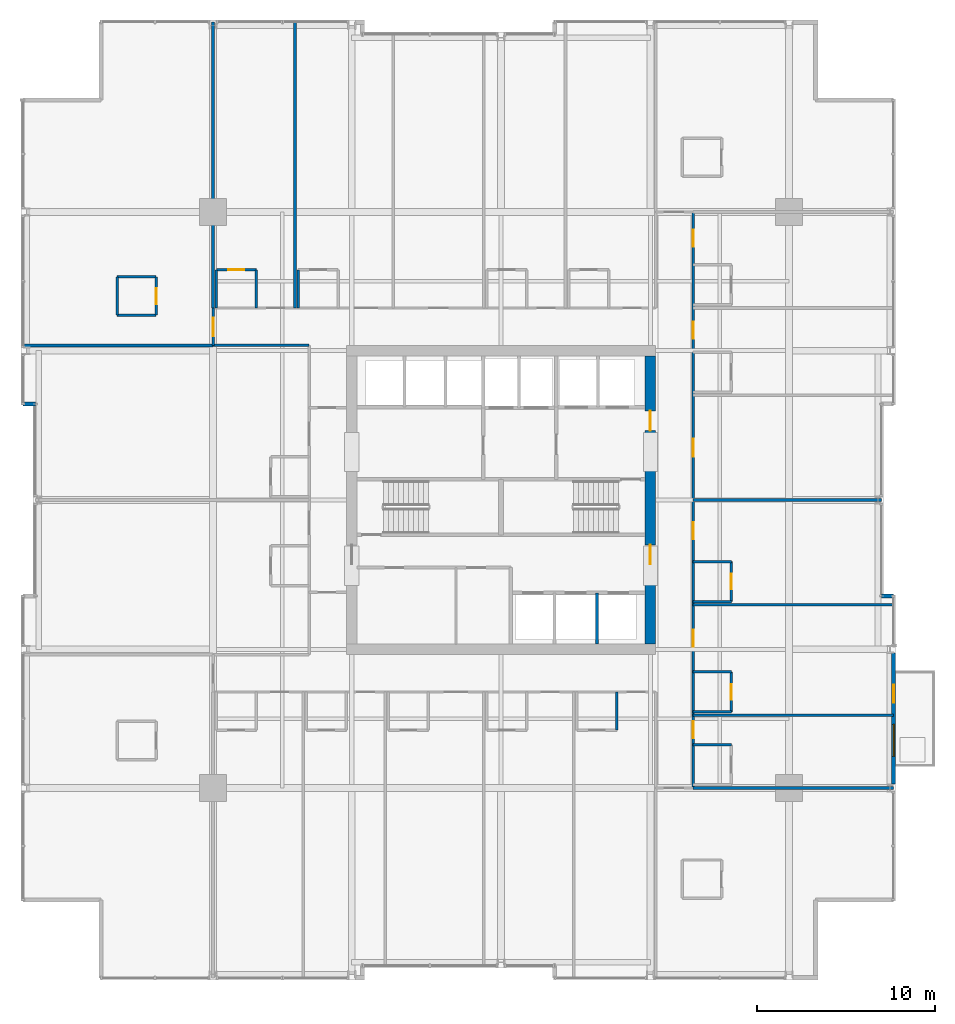
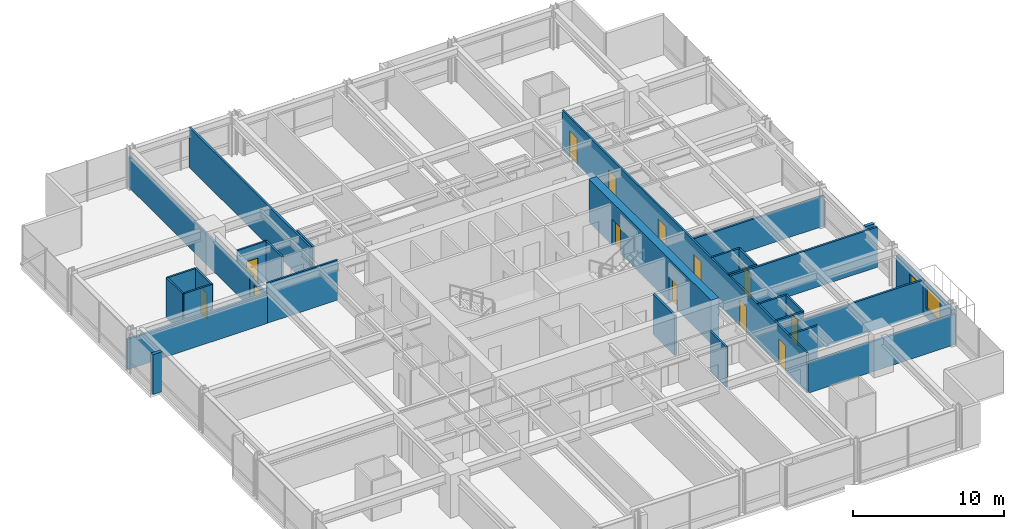
# One storey, part 30 of 34: 31 walls, 14 doors, 1 window, 15 openings.
"""IFC4 building model written with IfcOpenShell, lengths in metres."""

from ifc_helpers import new_model, si_unit, direction, frame, frame_2d, origin, place, context, subcontext, project, spatial, rectangle, extrude, material, layer, layer_set, type_object, element, fill, save


model = new_model("IFC4")

# Units and contexts
model_context = context("Model", 3, precision=1e-05, world=origin(), true_north=direction((0.0, 1.0)))
body_context = subcontext(model_context, "Body", "Model", "MODEL_VIEW")
ifc_project = project(units=[si_unit("LENGTHUNIT", "METRE"), si_unit("AREAUNIT", "SQUARE_METRE"), si_unit("VOLUMEUNIT", "CUBIC_METRE"), si_unit("PLANEANGLEUNIT", "RADIAN"), si_unit("MASSUNIT", "GRAM", prefix="KILO")], contexts=[model_context])

# Site, building, storey
site_placement = place(None, origin())
site = spatial("IfcSite", under=ifc_project, at=site_placement, CompositionType="ELEMENT")
building_placement = place(site_placement, origin())
building = spatial("IfcBuilding", under=site, at=building_placement, Name="Drelvath Grand Hotel", CompositionType="ELEMENT")
storey_placement = place(building_placement, frame((0.0, 0.0, 91.800048828125)))
storey = spatial("IfcBuildingStorey", under=building, at=storey_placement, Name="L22", CompositionType="ELEMENT", Elevation=91.800048828125)

# Walls
ifc_material_1 = material(Name="Gypsum Fireboard Partition")
ifc_layer_1 = layer(ifc_material_1, 0.1650390625)
ifc_layer_set_1 = layer_set([ifc_layer_1], Name="Gypsum Fireboard Partition")
wall_type_1 = type_object("IfcWallType", Name="Core Shaft Partition 165", PredefinedType="PARTITIONING", material=ifc_layer_set_1)
wall_1_placement = place(storey_placement, frame((5.39990234375, 18.89990234375, 0.0), z_axis=(0.0, 0.0, 1.0), x_axis=(0.0, 1.0, 0.0)))
element("IfcWall", 1, at=wall_1_placement, inside=storey, type_object=wall_type_1, Name="L22 Lift PE-5/6 Divider", PredefinedType="PARTITIONING", context=body_context, shape_type="SweptSolid", body=[
    extrude(rectangle(XDim=2.880126953125, YDim=0.1650390625, at=frame_2d((1.43994140625, 0.0))), origin(), (0.0, 0.0, 1.0), 3.239990234375),
])
ifc_layer_2 = layer(ifc_material_1, 0.135009765625)
ifc_layer_set_2 = layer_set([ifc_layer_2], Name="Gypsum Fireboard Partition")
wall_type_2 = type_object("IfcWallType", Name="Corridor Fire Barrier Wall 135", PredefinedType="PARTITIONING", material=ifc_layer_set_2)
wall_2_placement = place(storey_placement, frame((-16.199951171875, 35.699951171875, 0.0), z_axis=(0.0, 0.0, 1.0), x_axis=(1.0, 0.0, 0.0)))
element("IfcWall", 2, at=wall_2_placement, inside=storey, type_object=wall_type_2, Name="L22 NW Stub South Wall", PredefinedType="PARTITIONING", context=body_context, shape_type="SweptSolid", body=[
    extrude(rectangle(XDim=5.39990234375, YDim=0.135009765625, at=frame_2d((2.699951171875, 0.0))), origin(), (0.0, 0.0, 1.0), 3.239990234375),
])

# Wall, openings, doors
wall_3_placement = place(storey_placement, frame((10.800048828125, 10.800048828125, 0.0), z_axis=(0.0, 0.0, 1.0), x_axis=(0.0, 1.0, 0.0)))
wall_3 = element("IfcWall", 3, at=wall_3_placement, inside=storey, type_object=wall_type_2, Name="L22 East Spine Corridor Wall", PredefinedType="PARTITIONING", context=body_context, shape_type="SweptSolid", body=[
    extrude(rectangle(XDim=32.39990234375, YDim=0.135009765625, at=frame_2d((16.199951171875, 0.0))), origin(), (0.0, 0.0, 1.0), 3.239990234375),
])
opening_1_placement = place(wall_3_placement, frame((2.784912109375, 0.0, 0.0)))
opening_1 = element("IfcOpeningElement", 4, at=opening_1_placement, cuts=wall_3, Name="Opening D-T2G1-047", PredefinedType="OPENING", context=body_context, shape_type="SweptSolid", body=[
    extrude(rectangle(XDim=0.9599609375, YDim=2.14990234375, at=frame_2d((0.47998046875, 1.074951171875))), frame((0.0, 0.077392578125, 0.0), z_axis=(0.0, -1.0, 0.0), x_axis=(1.0, 0.0, 0.0)), (0.0, 0.0, 1.0), 0.155029296875),
])
opening_2_placement = place(wall_3_placement, frame((7.939453125, 0.0, 0.0)))
opening_2 = element("IfcOpeningElement", 5, at=opening_2_placement, cuts=wall_3, Name="Opening D-T2G1-049", PredefinedType="OPENING", context=body_context, shape_type="SweptSolid", body=[
    extrude(rectangle(XDim=0.9599609375, YDim=2.14990234375, at=frame_2d((0.47998046875, 1.074951171875))), frame((0.0, 0.077392578125, 0.0), z_axis=(0.0, -1.0, 0.0), x_axis=(1.0, 0.0, 0.0)), (0.0, 0.0, 1.0), 0.155029296875),
])
opening_3_placement = place(wall_3_placement, frame((13.989501953125, 0.0, 0.0)))
opening_3 = element("IfcOpeningElement", 6, at=opening_3_placement, cuts=wall_3, Name="Opening D-T2G1-051", PredefinedType="OPENING", context=body_context, shape_type="SweptSolid", body=[
    extrude(rectangle(XDim=0.9599609375, YDim=2.14990234375, at=frame_2d((0.47998046875, 1.074951171875))), frame((0.0, 0.077392578125, 0.0), z_axis=(0.0, -1.0, 0.0), x_axis=(1.0, 0.0, 0.0)), (0.0, 0.0, 1.0), 0.155029296875),
])
opening_4_placement = place(wall_3_placement, frame((18.635498046875, 0.0, 0.0)))
opening_4 = element("IfcOpeningElement", 7, at=opening_4_placement, cuts=wall_3, Name="Opening D-T2G1-052", PredefinedType="OPENING", context=body_context, shape_type="SweptSolid", body=[
    extrude(rectangle(XDim=1.02001953125, YDim=2.14990234375, at=frame_2d((0.510009765625, 1.074951171875))), frame((0.0, 0.077392578125, 0.0), z_axis=(0.0, -1.0, 0.0), x_axis=(1.0, 0.0, 0.0)), (0.0, 0.0, 1.0), 0.155029296875),
])
opening_5_placement = place(wall_3_placement, frame((25.280517578125, 0.0, 0.0)))
opening_5 = element("IfcOpeningElement", 8, at=opening_5_placement, cuts=wall_3, Name="Opening D-T2G1-054", PredefinedType="OPENING", context=body_context, shape_type="SweptSolid", body=[
    extrude(rectangle(XDim=0.9599609375, YDim=2.14990234375, at=frame_2d((0.47998046875, 1.074951171875))), frame((0.0, 0.077392578125, 0.0), z_axis=(0.0, -1.0, 0.0), x_axis=(1.0, 0.0, 0.0)), (0.0, 0.0, 1.0), 0.155029296875),
])
opening_6_placement = place(wall_3_placement, frame((30.43505859375, 0.0, 0.0)))
opening_6 = element("IfcOpeningElement", 9, at=opening_6_placement, cuts=wall_3, Name="Opening D-T2G1-056", PredefinedType="OPENING", context=body_context, shape_type="SweptSolid", body=[
    extrude(rectangle(XDim=0.9599609375, YDim=2.14990234375, at=frame_2d((0.47998046875, 1.074951171875))), frame((0.0, 0.077392578125, 0.0), z_axis=(0.0, -1.0, 0.0), x_axis=(1.0, 0.0, 0.0)), (0.0, 0.0, 1.0), 0.155029296875),
])
ifc_material_2 = material(Name="Hardwood Walnut Timber", Category="wood")
door_type_1 = type_object("IfcDoorType", Name="Amenity Meeting Fire Door 1020x2150", OperationType="NOTDEFINED", PredefinedType="DOOR", material=ifc_material_2)
door_1_placement = place(opening_4_placement, origin())
door_1 = element("IfcDoor", 10, at=door_1_placement, inside=storey, type_object=door_type_1, Name="L22 Executive Workroom Entry Door", OperationType="SINGLE_SWING_LEFT", OverallHeight=2.14990234375, OverallWidth=1.02001953125, PredefinedType="DOOR", context=body_context, shape_type="SweptSolid", body=[
    extrude(rectangle(XDim=1.02001953125, YDim=2.14990234375, at=frame_2d((0.510009765625, 1.074951171875))), frame((0.0, 0.02490234375, 0.0), z_axis=(0.0, -1.0, 0.0), x_axis=(1.0, 0.0, 0.0)), (0.0, 0.0, 1.0), 0.050048828125),
])
fill(opening_4, door_1)
door_type_2 = type_object("IfcDoorType", Name="Guestroom Entrance Fire Door 960x2150", OperationType="NOTDEFINED", PredefinedType="DOOR", material=ifc_material_2)
door_2_placement = place(opening_1_placement, origin())
door_2 = element("IfcDoor", 11, at=door_2_placement, inside=storey, type_object=door_type_2, Name="L22 Deluxe Guest Room Entry Door", OperationType="SINGLE_SWING_RIGHT", OverallHeight=2.14990234375, OverallWidth=0.9599609375, PredefinedType="DOOR", context=body_context, shape_type="SweptSolid", body=[
    extrude(rectangle(XDim=0.9599609375, YDim=2.14990234375, at=frame_2d((0.47998046875, 1.074951171875))), frame((0.0, 0.02490234375, 0.0), z_axis=(0.0, -1.0, 0.0), x_axis=(1.0, 0.0, 0.0)), (0.0, 0.0, 1.0), 0.050048828125),
])
fill(opening_1, door_2)
door_3_placement = place(opening_2_placement, origin())
door_3 = element("IfcDoor", 12, at=door_3_placement, inside=storey, type_object=door_type_2, Name="L22 Deluxe Guest Room Entry Door", OperationType="SINGLE_SWING_RIGHT", OverallHeight=2.14990234375, OverallWidth=0.9599609375, PredefinedType="DOOR", context=body_context, shape_type="SweptSolid", body=[
    extrude(rectangle(XDim=0.9599609375, YDim=2.14990234375, at=frame_2d((0.47998046875, 1.074951171875))), frame((0.0, 0.02490234375, 0.0), z_axis=(0.0, -1.0, 0.0), x_axis=(1.0, 0.0, 0.0)), (0.0, 0.0, 1.0), 0.050048828125),
])
fill(opening_2, door_3)
door_4_placement = place(opening_3_placement, origin())
door_4 = element("IfcDoor", 13, at=door_4_placement, inside=storey, type_object=door_type_2, Name="L22 Deluxe Guest Room Entry Door", OperationType="SINGLE_SWING_RIGHT", OverallHeight=2.14990234375, OverallWidth=0.9599609375, PredefinedType="DOOR", context=body_context, shape_type="SweptSolid", body=[
    extrude(rectangle(XDim=0.9599609375, YDim=2.14990234375, at=frame_2d((0.47998046875, 1.074951171875))), frame((0.0, 0.02490234375, 0.0), z_axis=(0.0, -1.0, 0.0), x_axis=(1.0, 0.0, 0.0)), (0.0, 0.0, 1.0), 0.050048828125),
])
fill(opening_3, door_4)
door_5_placement = place(opening_5_placement, origin())
door_5 = element("IfcDoor", 14, at=door_5_placement, inside=storey, type_object=door_type_2, Name="L22 Deluxe Guest Room Entry Door", OperationType="SINGLE_SWING_LEFT", OverallHeight=2.14990234375, OverallWidth=0.9599609375, PredefinedType="DOOR", context=body_context, shape_type="SweptSolid", body=[
    extrude(rectangle(XDim=0.9599609375, YDim=2.14990234375, at=frame_2d((0.47998046875, 1.074951171875))), frame((0.0, 0.02490234375, 0.0), z_axis=(0.0, -1.0, 0.0), x_axis=(1.0, 0.0, 0.0)), (0.0, 0.0, 1.0), 0.050048828125),
])
fill(opening_5, door_5)
door_6_placement = place(opening_6_placement, origin())
door_6 = element("IfcDoor", 15, at=door_6_placement, inside=storey, type_object=door_type_2, Name="L22 Deluxe Guest Room Entry Door", OperationType="SINGLE_SWING_LEFT", OverallHeight=2.14990234375, OverallWidth=0.9599609375, PredefinedType="DOOR", context=body_context, shape_type="SweptSolid", body=[
    extrude(rectangle(XDim=0.9599609375, YDim=2.14990234375, at=frame_2d((0.47998046875, 1.074951171875))), frame((0.0, 0.02490234375, 0.0), z_axis=(0.0, -1.0, 0.0), x_axis=(1.0, 0.0, 0.0)), (0.0, 0.0, 1.0), 0.050048828125),
])
fill(opening_6, door_6)

# Wall, opening, door
wall_4_placement = place(storey_placement, frame((-16.199951171875, 35.699951171875, 0.0), z_axis=(0.0, 0.0, 1.0), x_axis=(0.0, 1.0, 0.0)))
wall_4 = element("IfcWall", 16, at=wall_4_placement, inside=storey, type_object=wall_type_2, Name="L22 North Stub West End", PredefinedType="PARTITIONING", context=body_context, shape_type="SweptSolid", body=[
    extrude(rectangle(XDim=2.10009765625, YDim=0.135009765625, at=frame_2d((1.050048828125, 0.0))), origin(), (0.0, 0.0, 1.0), 2.45166015625),
])
opening_7_placement = place(wall_4_placement, frame((0.52001953125, 0.0, 0.0)))
opening_7 = element("IfcOpeningElement", 17, at=opening_7_placement, cuts=wall_4, Name="Opening D-T2G1-022", PredefinedType="OPENING", context=body_context, shape_type="SweptSolid", body=[
    extrude(rectangle(XDim=1.02001953125, YDim=2.14990234375, at=frame_2d((0.510009765625, 1.074951171875))), frame((0.0, 0.077392578125, 0.0), z_axis=(0.0, -1.0, 0.0), x_axis=(1.0, 0.0, 0.0)), (0.0, 0.0, 1.0), 0.155029296875),
])
door_7_placement = place(opening_7_placement, origin())
door_7 = element("IfcDoor", 18, at=door_7_placement, inside=storey, type_object=door_type_1, Name="L22 Corner Suite Entry Door", OperationType="SINGLE_SWING_LEFT", OverallHeight=2.14990234375, OverallWidth=1.02001953125, PredefinedType="DOOR", context=body_context, shape_type="SweptSolid", body=[
    extrude(rectangle(XDim=1.02001953125, YDim=2.14990234375, at=frame_2d((0.510009765625, 1.074951171875))), frame((0.0, 0.02490234375, 0.0), z_axis=(0.0, -1.0, 0.0), x_axis=(1.0, 0.0, 0.0)), (0.0, 0.0, 1.0), 0.050048828125),
])
fill(opening_7, door_7)

# Walls
ifc_material_3 = material(Name="Moisture-Resistant Gypsum Board")
ifc_layer_3 = layer(ifc_material_3, 0.139892578125)
ifc_layer_set_3 = layer_set([ifc_layer_3], Name="Moisture-Resistant Gypsum Board")
wall_type_3 = type_object("IfcWallType", Name="En-Suite Plumbing Wall 140", PredefinedType="PLUMBINGWALL", material=ifc_layer_set_3)
for number, where, z_axis, x_axis, name in (
    (19, (-21.60009765625, 37.39990234375, 0.0), (0.0, 0.0, 1.0), (1.0, 0.0, 0.0), "L22 Corner En-Suite South"),
    (20, (-21.60009765625, 39.550048828125, 0.0), (0.0, 0.0, 1.0), (1.0, 0.0, 0.0), "L22 Corner En-Suite North"),
):
    element("IfcWall", number, at=place(storey_placement, frame(where, z_axis=z_axis, x_axis=x_axis)), inside=storey, type_object=wall_type_3, Name=name, PredefinedType="PLUMBINGWALL", context=body_context, shape_type="SweptSolid", body=[
        extrude(rectangle(XDim=2.2001953125, YDim=0.139892578125, at=frame_2d((1.10009765625, 0.0))), origin(), (0.0, 0.0, 1.0), 3.239990234375),
    ])
wall_5_placement = place(storey_placement, frame((-21.60009765625, 37.39990234375, 0.0), z_axis=(0.0, 0.0, 1.0), x_axis=(0.0, 1.0, 0.0)))
element("IfcWall", 21, at=wall_5_placement, inside=storey, type_object=wall_type_3, Name="L22 Corner En-Suite West", PredefinedType="PLUMBINGWALL", context=body_context, shape_type="SweptSolid", body=[
    extrude(rectangle(XDim=2.150146484375, YDim=0.139892578125, at=frame_2d((1.0751953125, 0.0))), origin(), (0.0, 0.0, 1.0), 3.239990234375),
])

# Wall, opening, door
wall_6_placement = place(storey_placement, frame((-19.39990234375, 37.39990234375, 0.0), z_axis=(0.0, 0.0, 1.0), x_axis=(0.0, 1.0, 0.0)))
wall_6 = element("IfcWall", 22, at=wall_6_placement, inside=storey, type_object=wall_type_3, Name="L22 Corner En-Suite East", PredefinedType="PLUMBINGWALL", context=body_context, shape_type="SweptSolid", body=[
    extrude(rectangle(XDim=2.150146484375, YDim=0.139892578125, at=frame_2d((1.0751953125, 0.0))), origin(), (0.0, 0.0, 1.0), 3.239990234375),
])
opening_8_placement = place(wall_6_placement, frame((0.6201171875, 0.0, 0.0)))
opening_8 = element("IfcOpeningElement", 23, at=opening_8_placement, cuts=wall_6, Name="Opening D-T2G1-021", PredefinedType="OPENING", context=body_context, shape_type="SweptSolid", body=[
    extrude(rectangle(XDim=0.8798828125, YDim=2.10009765625, at=frame_2d((0.43994140625, 1.050048828125))), frame((0.0, 0.079833984375, 0.0), z_axis=(0.0, -1.0, 0.0), x_axis=(1.0, 0.0, 0.0)), (0.0, 0.0, 1.0), 0.159912109375),
])
door_type_3 = type_object("IfcDoorType", Name="En-Suite Bathroom Door 880x2100", OperationType="NOTDEFINED", PredefinedType="DOOR", material=ifc_material_2)
door_8_placement = place(opening_8_placement, origin())
door_8 = element("IfcDoor", 24, at=door_8_placement, inside=storey, type_object=door_type_3, Name="L22 Corner En-Suite Door", OperationType="SINGLE_SWING_RIGHT", OverallHeight=2.10009765625, OverallWidth=0.8798828125, PredefinedType="DOOR", context=body_context, shape_type="SweptSolid", body=[
    extrude(rectangle(XDim=0.8798828125, YDim=2.10009765625, at=frame_2d((0.43994140625, 1.050048828125))), frame((0.0, 0.02490234375, 0.0), z_axis=(0.0, -1.0, 0.0), x_axis=(1.0, 0.0, 0.0)), (0.0, 0.0, 1.0), 0.050048828125),
])
fill(opening_8, door_8)

# Walls
wall_7_placement = place(storey_placement, frame((6.518798828125, 16.199951171875, 0.0), z_axis=(0.0, 0.0, 1.0), x_axis=(0.0, -1.0, 0.0)))
element("IfcWall", 25, at=wall_7_placement, inside=storey, type_object=wall_type_3, Name="L22 En-Suite Right Wall", PredefinedType="PLUMBINGWALL", context=body_context, shape_type="SweptSolid", body=[
    extrude(rectangle(XDim=2.14990234375, YDim=0.139892578125, at=frame_2d((1.074951171875, 0.0))), origin(), (0.0, 0.0, 1.0), 3.239990234375),
])
wall_8_placement = place(storey_placement, frame((-16.02001953125, 37.800048828125, 0.0), z_axis=(0.0, 0.0, 1.0), x_axis=(0.0, 1.0, 0.0)))
element("IfcWall", 26, at=wall_8_placement, inside=storey, type_object=wall_type_3, Name="L22 En-Suite Left Wall", PredefinedType="PLUMBINGWALL", context=body_context, shape_type="SweptSolid", body=[
    extrude(rectangle(XDim=2.14990234375, YDim=0.139892578125, at=frame_2d((1.074951171875, 0.0))), origin(), (0.0, 0.0, 1.0), 2.45166015625),
])
wall_9_placement = place(storey_placement, frame((-13.77001953125, 37.800048828125, 0.0), z_axis=(0.0, 0.0, 1.0), x_axis=(0.0, 1.0, 0.0)))
element("IfcWall", 27, at=wall_9_placement, inside=storey, type_object=wall_type_3, Name="L22 En-Suite Right Wall", PredefinedType="PLUMBINGWALL", context=body_context, shape_type="SweptSolid", body=[
    extrude(rectangle(XDim=2.14990234375, YDim=0.139892578125, at=frame_2d((1.074951171875, 0.0))), origin(), (0.0, 0.0, 1.0), 3.239990234375),
])

# Wall, opening, door
wall_10_placement = place(storey_placement, frame((-16.02001953125, 39.949951171875, 0.0), z_axis=(0.0, 0.0, 1.0), x_axis=(1.0, 0.0, 0.0)))
wall_10 = element("IfcWall", 28, at=wall_10_placement, inside=storey, type_object=wall_type_3, Name="L22 En-Suite Front Wall", PredefinedType="PLUMBINGWALL", context=body_context, shape_type="SweptSolid", body=[
    extrude(rectangle(XDim=2.25, YDim=0.139892578125, at=frame_2d((1.125, 0.0))), origin(), (0.0, 0.0, 1.0), 3.239990234375),
])
opening_9_placement = place(wall_10_placement, frame((0.68505859375, 0.0, 0.0)))
opening_9 = element("IfcOpeningElement", 29, at=opening_9_placement, cuts=wall_10, Name="Opening D-T2G1-037", PredefinedType="OPENING", context=body_context, shape_type="SweptSolid", body=[
    extrude(rectangle(XDim=0.8798828125, YDim=2.10009765625, at=frame_2d((0.43994140625, 1.050048828125))), frame((0.0, 0.079833984375, 0.0), z_axis=(0.0, -1.0, 0.0), x_axis=(1.0, 0.0, 0.0)), (0.0, 0.0, 1.0), 0.159912109375),
])
door_9_placement = place(opening_9_placement, origin())
door_9 = element("IfcDoor", 30, at=door_9_placement, inside=storey, type_object=door_type_3, Name="L22 En-Suite Bathroom Door", OperationType="SINGLE_SWING_RIGHT", OverallHeight=2.10009765625, OverallWidth=0.8798828125, PredefinedType="DOOR", context=body_context, shape_type="SweptSolid", body=[
    extrude(rectangle(XDim=0.8798828125, YDim=2.10009765625, at=frame_2d((0.43994140625, 1.050048828125))), frame((0.0, 0.02490234375, 0.0), z_axis=(0.0, -1.0, 0.0), x_axis=(1.0, 0.0, 0.0)), (0.0, 0.0, 1.0), 0.050048828125),
])
fill(opening_9, door_9)

# Walls
for number, where, z_axis, x_axis, name in (
    (31, (-11.408935546875, 37.800048828125, 0.0), (0.0, 0.0, 1.0), (0.0, 1.0, 0.0), "L22 En-Suite Left Wall"),
    (32, (10.800048828125, 13.22998046875, 0.0), (0.0, 0.0, 1.0), (1.0, 0.0, 0.0), "L22 En-Suite Right Wall"),
    (33, (10.800048828125, 15.080078125, 0.0), (0.0, 0.0, 1.0), (1.0, 0.0, 0.0), "L22 En-Suite Left Wall"),
    (34, (10.800048828125, 17.330078125, 0.0), (0.0, 0.0, 1.0), (1.0, 0.0, 0.0), "L22 En-Suite Right Wall"),
):
    element("IfcWall", number, at=place(storey_placement, frame(where, z_axis=z_axis, x_axis=x_axis)), inside=storey, type_object=wall_type_3, Name=name, PredefinedType="PLUMBINGWALL", context=body_context, shape_type="SweptSolid", body=[
        extrude(rectangle(XDim=2.14990234375, YDim=0.139892578125, at=frame_2d((1.074951171875, 0.0))), origin(), (0.0, 0.0, 1.0), 3.239990234375),
    ])

# Wall, opening, door
wall_11_placement = place(storey_placement, frame((12.949951171875, 15.080078125, 0.0), z_axis=(0.0, 0.0, 1.0), x_axis=(0.0, 1.0, 0.0)))
wall_11 = element("IfcWall", 35, at=wall_11_placement, inside=storey, type_object=wall_type_3, Name="L22 En-Suite Front Wall", PredefinedType="PLUMBINGWALL", context=body_context, shape_type="SweptSolid", body=[
    extrude(rectangle(XDim=2.25, YDim=0.139892578125, at=frame_2d((1.125, 0.0))), origin(), (0.0, 0.0, 1.0), 3.239990234375),
])
opening_10_placement = place(wall_11_placement, frame((0.68505859375, 0.0, 0.0)))
opening_10 = element("IfcOpeningElement", 36, at=opening_10_placement, cuts=wall_11, Name="Opening D-T2G1-048", PredefinedType="OPENING", context=body_context, shape_type="SweptSolid", body=[
    extrude(rectangle(XDim=0.8798828125, YDim=2.10009765625, at=frame_2d((0.43994140625, 1.050048828125))), frame((0.0, 0.079833984375, 0.0), z_axis=(0.0, -1.0, 0.0), x_axis=(1.0, 0.0, 0.0)), (0.0, 0.0, 1.0), 0.159912109375),
])
door_10_placement = place(opening_10_placement, origin())
door_10 = element("IfcDoor", 37, at=door_10_placement, inside=storey, type_object=door_type_3, Name="L22 En-Suite Bathroom Door", OperationType="SINGLE_SWING_LEFT", OverallHeight=2.10009765625, OverallWidth=0.8798828125, PredefinedType="DOOR", context=body_context, shape_type="SweptSolid", body=[
    extrude(rectangle(XDim=0.8798828125, YDim=2.10009765625, at=frame_2d((0.43994140625, 1.050048828125))), frame((0.0, 0.02490234375, 0.0), z_axis=(0.0, -1.0, 0.0), x_axis=(1.0, 0.0, 0.0)), (0.0, 0.0, 1.0), 0.050048828125),
])
fill(opening_10, door_10)

# Walls
for number, where, z_axis, x_axis, name in (
    (38, (10.800048828125, 21.2890625, 0.0), (0.0, 0.0, 1.0), (1.0, 0.0, 0.0), "L22 En-Suite Left Wall"),
    (39, (10.800048828125, 23.5390625, 0.0), (0.0, 0.0, 1.0), (1.0, 0.0, 0.0), "L22 En-Suite Right Wall"),
):
    element("IfcWall", number, at=place(storey_placement, frame(where, z_axis=z_axis, x_axis=x_axis)), inside=storey, type_object=wall_type_3, Name=name, PredefinedType="PLUMBINGWALL", context=body_context, shape_type="SweptSolid", body=[
        extrude(rectangle(XDim=2.14990234375, YDim=0.139892578125, at=frame_2d((1.074951171875, 0.0))), origin(), (0.0, 0.0, 1.0), 3.239990234375),
    ])

# Wall, opening, door
wall_12_placement = place(storey_placement, frame((12.949951171875, 21.2890625, 0.0), z_axis=(0.0, 0.0, 1.0), x_axis=(0.0, 1.0, 0.0)))
wall_12 = element("IfcWall", 40, at=wall_12_placement, inside=storey, type_object=wall_type_3, Name="L22 En-Suite Front Wall", PredefinedType="PLUMBINGWALL", context=body_context, shape_type="SweptSolid", body=[
    extrude(rectangle(XDim=2.25, YDim=0.139892578125, at=frame_2d((1.125, 0.0))), origin(), (0.0, 0.0, 1.0), 3.239990234375),
])
opening_11_placement = place(wall_12_placement, frame((0.68505859375, 0.0, 0.0)))
opening_11 = element("IfcOpeningElement", 41, at=opening_11_placement, cuts=wall_12, Name="Opening D-T2G1-050", PredefinedType="OPENING", context=body_context, shape_type="SweptSolid", body=[
    extrude(rectangle(XDim=0.8798828125, YDim=2.10009765625, at=frame_2d((0.43994140625, 1.050048828125))), frame((0.0, 0.079833984375, 0.0), z_axis=(0.0, -1.0, 0.0), x_axis=(1.0, 0.0, 0.0)), (0.0, 0.0, 1.0), 0.159912109375),
])
door_11_placement = place(opening_11_placement, origin())
door_11 = element("IfcDoor", 42, at=door_11_placement, inside=storey, type_object=door_type_3, Name="L22 En-Suite Bathroom Door", OperationType="SINGLE_SWING_LEFT", OverallHeight=2.10009765625, OverallWidth=0.8798828125, PredefinedType="DOOR", context=body_context, shape_type="SweptSolid", body=[
    extrude(rectangle(XDim=0.8798828125, YDim=2.10009765625, at=frame_2d((0.43994140625, 1.050048828125))), frame((0.0, 0.02490234375, 0.0), z_axis=(0.0, -1.0, 0.0), x_axis=(1.0, 0.0, 0.0)), (0.0, 0.0, 1.0), 0.050048828125),
])
fill(opening_11, door_11)

# Walls
ifc_material_4 = material(Name="Gypsum Acoustic Partition")
ifc_layer_4 = layer(ifc_material_4, 0.14990234375)
ifc_layer_set_4 = layer_set([ifc_layer_4], Name="Gypsum Acoustic Partition")
wall_type_4 = type_object("IfcWallType", Name="Guestroom Demising Wall 150", PredefinedType="PARTITIONING", material=ifc_layer_set_4)
wall_13_placement = place(storey_placement, frame((-11.5888671875, 37.800048828125, 0.0), z_axis=(0.0, 0.0, 1.0), x_axis=(0.0, 1.0, 0.0)))
element("IfcWall", 43, at=wall_13_placement, inside=storey, type_object=wall_type_4, Name="L22 North Demising 1", PredefinedType="PARTITIONING", context=body_context, shape_type="SweptSolid", body=[
    extrude(rectangle(XDim=16.079833984375, YDim=0.14990234375, at=frame_2d((8.0400390625, 0.0))), origin(), (0.0, 0.0, 1.0), 3.239990234375),
])
wall_14_placement = place(storey_placement, frame((10.800048828125, 14.89990234375, 0.0), z_axis=(0.0, 0.0, 1.0), x_axis=(1.0, 0.0, 0.0)))
element("IfcWall", 44, at=wall_14_placement, inside=storey, type_object=wall_type_4, Name="L22 East Demising 1", PredefinedType="PARTITIONING", context=body_context, shape_type="SweptSolid", body=[
    extrude(rectangle(XDim=11.280029296875, YDim=0.14990234375, at=frame_2d((5.64013671875, 0.0))), origin(), (0.0, 0.0, 1.0), 2.764892578125),
])
wall_15_placement = place(storey_placement, frame((10.800048828125, 21.109130859375, 0.0), z_axis=(0.0, 0.0, 1.0), x_axis=(1.0, 0.0, 0.0)))
element("IfcWall", 45, at=wall_15_placement, inside=storey, type_object=wall_type_4, Name="L22 East Demising 2", PredefinedType="PARTITIONING", context=body_context, shape_type="SweptSolid", body=[
    extrude(rectangle(XDim=11.280029296875, YDim=0.14990234375, at=frame_2d((5.64013671875, 0.0))), origin(), (0.0, 0.0, 1.0), 3.239990234375),
])
wall_16_placement = place(storey_placement, frame((10.800048828125, 27.0, 0.0), z_axis=(0.0, 0.0, 1.0), x_axis=(1.0, 0.0, 0.0)))
element("IfcWall", 46, at=wall_16_placement, inside=storey, type_object=wall_type_4, Name="L22 East Demising 3", PredefinedType="PARTITIONING", context=body_context, shape_type="SweptSolid", body=[
    extrude(rectangle(XDim=10.599853515625, YDim=0.14990234375, at=frame_2d((5.2998046875, 0.0))), origin(), (0.0, 0.0, 1.0), 2.45166015625),
])

# Wall, openings, doors
ifc_material_5 = material(Name="Concrete f'c 70 MPa", Category="concrete")
ifc_layer_5 = layer(ifc_material_5, 0.60009765625)
ifc_layer_set_5 = layer_set([ifc_layer_5], Name="Concrete f'c 70 MPa")
wall_type_5 = type_object("IfcWallType", Name="Lower Core RC Shear Wall 600", PredefinedType="SHEAR", material=ifc_layer_set_5)
wall_17_placement = place(storey_placement, frame((8.39990234375, 35.10009765625, 0.0), z_axis=(0.0, 0.0, 1.0), x_axis=(0.0, -1.0, 0.0)))
wall_17 = element("IfcWall", 47, at=wall_17_placement, inside=storey, type_object=wall_type_5, Name="L22 Central Core Shear Wall E", PredefinedType="SHEAR", context=body_context, shape_type="SweptSolid", body=[
    extrude(rectangle(XDim=16.2001953125, YDim=0.60009765625, at=frame_2d((8.10009765625, 0.0))), origin(), (0.0, 0.0, 1.0), 3.5),
])
opening_12_placement = place(wall_17_placement, frame((3.080078125, 0.0, 0.0)))
opening_12 = element("IfcOpeningElement", 48, at=opening_12_placement, cuts=wall_17, Name="Opening D-T2G1-006", PredefinedType="OPENING", context=body_context, shape_type="SweptSolid", body=[
    extrude(rectangle(XDim=1.1201171875, YDim=2.10009765625, at=frame_2d((0.56005859375, 1.050048828125))), frame((0.0, 0.31005859375, 0.0), z_axis=(0.0, -1.0, 0.0), x_axis=(1.0, 0.0, 0.0)), (0.0, 0.0, 1.0), 0.6201171875),
])
opening_13_placement = place(wall_17_placement, frame((10.6201171875, 0.0, 0.0)))
opening_13 = element("IfcOpeningElement", 49, at=opening_13_placement, cuts=wall_17, Name="Opening D-T2G1-014", PredefinedType="OPENING", context=body_context, shape_type="SweptSolid", body=[
    extrude(rectangle(XDim=1.080078125, YDim=2.0400390625, at=frame_2d((0.5400390625, 1.02001953125))), frame((0.0, 0.31005859375, 0.0), z_axis=(0.0, -1.0, 0.0), x_axis=(1.0, 0.0, 0.0)), (0.0, 0.0, 1.0), 0.6201171875),
])
ifc_material_6 = material(Name="Painted Steel S275", Category="steel")
door_type_4 = type_object("IfcDoorType", Name="Core Corridor Fire Door 1080x2100", OperationType="NOTDEFINED", PredefinedType="DOOR", material=ifc_material_6)
door_12_placement = place(opening_13_placement, origin())
door_12 = element("IfcDoor", 50, at=door_12_placement, inside=storey, type_object=door_type_4, Name="L22 Mid-Rise Lobby East Door", OperationType="SINGLE_SWING_LEFT", OverallHeight=2.0400390625, OverallWidth=1.080078125, PredefinedType="DOOR", context=body_context, shape_type="SweptSolid", body=[
    extrude(rectangle(XDim=1.080078125, YDim=2.0400390625, at=frame_2d((0.5400390625, 1.02001953125))), frame((0.0, 0.02490234375, 0.0), z_axis=(0.0, -1.0, 0.0), x_axis=(1.0, 0.0, 0.0)), (0.0, 0.0, 1.0), 0.050048828125),
])
fill(opening_13, door_12)
door_type_5 = type_object("IfcDoorType", Name="FSAE Smoke Lobby Fire Door 1120x2100", OperationType="NOTDEFINED", PredefinedType="DOOR", material=ifc_material_6)
door_13_placement = place(opening_12_placement, origin())
door_13 = element("IfcDoor", 51, at=door_13_placement, inside=storey, type_object=door_type_5, Name="L22 FSAE Lobby East Corridor Door", OperationType="SINGLE_SWING_LEFT", OverallHeight=2.10009765625, OverallWidth=1.1201171875, PredefinedType="DOOR", context=body_context, shape_type="SweptSolid", body=[
    extrude(rectangle(XDim=1.1201171875, YDim=2.10009765625, at=frame_2d((0.56005859375, 1.050048828125))), frame((0.0, 0.02490234375, 0.0), z_axis=(0.0, -1.0, 0.0), x_axis=(1.0, 0.0, 0.0)), (0.0, 0.0, 1.0), 0.050048828125),
])
fill(opening_12, door_13)

# Walls
ifc_layer_6 = layer(ifc_material_4, 0.1650390625)
ifc_layer_set_6 = layer_set([ifc_layer_6], Name="Gypsum Acoustic Partition")
wall_type_6 = type_object("IfcWallType", Name="Suite Demising Wall 165", PredefinedType="PARTITIONING", material=ifc_layer_set_6)
wall_18_placement = place(storey_placement, frame((-16.199951171875, 37.800048828125, 0.0), z_axis=(0.0, 0.0, 1.0), x_axis=(0.0, 1.0, 0.0)))
element("IfcWall", 52, at=wall_18_placement, inside=storey, type_object=wall_type_6, Name="L22 NW Suite East Wall", PredefinedType="PARTITIONING", context=body_context, shape_type="SweptSolid", body=[
    extrude(rectangle(XDim=16.079833984375, YDim=0.1650390625, at=frame_2d((8.0400390625, 0.0))), origin(), (0.0, 0.0, 1.0), 2.45166015625),
])
wall_19_placement = place(storey_placement, frame((10.800048828125, 10.800048828125, 0.0), z_axis=(0.0, 0.0, 1.0), x_axis=(1.0, 0.0, 0.0)))
element("IfcWall", 53, at=wall_19_placement, inside=storey, type_object=wall_type_6, Name="L22 SE Suite North Wall", PredefinedType="PARTITIONING", context=body_context, shape_type="SweptSolid", body=[
    extrude(rectangle(XDim=11.280029296875, YDim=0.1650390625, at=frame_2d((5.64013671875, 0.0))), origin(), (0.0, 0.0, 1.0), 2.45166015625),
])
wall_20_placement = place(storey_placement, frame((-26.8798828125, 35.699951171875, 0.0), z_axis=(0.0, 0.0, 1.0), x_axis=(1.0, 0.0, 0.0)))
element("IfcWall", 54, at=wall_20_placement, inside=storey, type_object=wall_type_6, Name="L22 NW Suite South Wall", PredefinedType="PARTITIONING", context=body_context, shape_type="SweptSolid", body=[
    extrude(rectangle(XDim=10.679931640625, YDim=0.1650390625, at=frame_2d((5.33984375, 0.0))), origin(), (0.0, 0.0, 1.0), 2.45166015625),
])

# Wall, openings, window, door
ifc_material_7 = material(Name="Pale-Metal Insulated Aluminium Spandrel Assembly", Category="aluminium")
ifc_layer_7 = layer(ifc_material_7, 0.239990234375)
ifc_layer_set_7 = layer_set([ifc_layer_7], Name="Pale-Metal Insulated Aluminium Spandrel Assembly")
wall_type_7 = type_object("IfcWallType", Name="Tower Insulated Metal Spandrel Closure Wall 240", PredefinedType="STANDARD", material=ifc_layer_set_7)
wall_21_placement = place(storey_placement, frame((22.080078125, 18.38037109375, 0.0), z_axis=(0.0, 0.0, 1.0), x_axis=(0.0, -1.0, 0.0)))
wall_21 = element("IfcWall", 55, at=wall_21_placement, inside=storey, type_object=wall_type_7, Name="L22 Exterior Terrace Door Bay Wall ES2", PredefinedType="STANDARD", context=body_context, shape_type="SweptSolid", body=[
    extrude(rectangle(XDim=7.36083984375, YDim=0.239990234375, at=frame_2d((3.680419921875, 0.0))), origin(), (0.0, 0.0, 1.0), 2.62890625),
])
opening_14_placement = place(wall_21_placement, frame((1.780517578125, 0.0, 0.0)))
opening_14 = element("IfcOpeningElement", 56, at=opening_14_placement, cuts=wall_21, Name="Opening TD-1000", PredefinedType="OPENING", context=body_context, shape_type="SweptSolid", body=[
    extrude(rectangle(XDim=1.0, YDim=2.199951171875, at=frame_2d((0.5, 1.10009765625))), frame((0.0, 0.1298828125, 0.0), z_axis=(0.0, -1.0, 0.0), x_axis=(1.0, 0.0, 0.0)), (0.0, 0.0, 1.0), 0.260009765625),
])
opening_15_placement = place(wall_21_placement, frame((3.99658203125, 0.0, 0.75)))
opening_15 = element("IfcOpeningElement", 57, at=opening_15_placement, cuts=wall_21, Name="Opening W-02", PredefinedType="OPENING", context=body_context, shape_type="SweptSolid", body=[
    extrude(rectangle(XDim=1.800048828125, YDim=1.779052734375, at=frame_2d((0.89990234375, 0.8896484375))), frame((0.0, 0.1298828125, 0.0), z_axis=(0.0, -1.0, 0.0), x_axis=(1.0, 0.0, 0.0)), (0.0, 0.0, 1.0), 0.260009765625),
])
ifc_material_8 = material(Name="Bronze Anodised Low-E Triple Glazing", Category="glass")
window_type = type_object("IfcWindowType", Name="Chicago Double-Pane Podium Window 1800x2400", PartitioningType="DOUBLE_PANEL_VERTICAL", PredefinedType="WINDOW", material=ifc_material_8)
window_placement = place(opening_15_placement, origin())
window = element("IfcWindow", 58, at=window_placement, inside=storey, type_object=window_type, Name="L22 Terrace Bay Companion Window ES2", OverallHeight=1.779052734375, OverallWidth=1.800048828125, PartitioningType="SINGLE_PANEL", PredefinedType="WINDOW", context=body_context, shape_type="SweptSolid", body=[
    extrude(rectangle(XDim=1.800048828125, YDim=1.779052734375, at=frame_2d((0.89990234375, 0.8896484375))), frame((0.0, 0.030029296875, 0.0), z_axis=(0.0, -1.0, 0.0), x_axis=(1.0, 0.0, 0.0)), (0.0, 0.0, 1.0), 0.06005859375),
])
fill(opening_15, window)
ifc_material_9 = material(Name="Anodised Aluminium Thermally Broken Glazed Door", Category="aluminium")
door_type_6 = type_object("IfcDoorType", Name="Terrace and Tree Balcony Glazed Door 1000x2200", OperationType="NOTDEFINED", PredefinedType="DOOR", material=ifc_material_9)
door_14_placement = place(opening_14_placement, origin())
door_14 = element("IfcDoor", 59, at=door_14_placement, inside=storey, type_object=door_type_6, Name="L22 Tree Balcony Door DOOR-L22-TBAL-1", OperationType="SINGLE_SWING_RIGHT", OverallHeight=2.199951171875, OverallWidth=1.0, PredefinedType="DOOR", context=body_context, shape_type="SweptSolid", body=[
    extrude(rectangle(XDim=1.0, YDim=2.199951171875, at=frame_2d((0.5, 1.10009765625))), frame((0.0, 0.02490234375, 0.0), z_axis=(0.0, -1.0, 0.0), x_axis=(1.0, 0.0, 0.0)), (0.0, 0.0, 1.0), 0.050048828125),
])
fill(opening_14, door_14)

# Walls
wall_22_placement = place(storey_placement, frame((-26.199951171875, 32.39990234375, 0.0), z_axis=(0.0, 0.0, 1.0), x_axis=(-1.0, 0.0, 0.0)))
element("IfcWall", 60, at=wall_22_placement, inside=storey, type_object=wall_type_7, Name="L22 Notched Corner Return Spandrel Wall RW2", PredefinedType="STANDARD", context=body_context, shape_type="SweptSolid", body=[
    extrude(rectangle(XDim=0.679931640625, YDim=0.239990234375, at=frame_2d((0.33984375, 0.0))), origin(), (0.0, 0.0, 1.0), 3.239990234375),
])
wall_23_placement = place(storey_placement, frame((21.39990234375, 21.60009765625, 0.0), z_axis=(0.0, 0.0, 1.0), x_axis=(1.0, 0.0, 0.0)))
element("IfcWall", 61, at=wall_23_placement, inside=storey, type_object=wall_type_7, Name="L22 Notched Corner Return Spandrel Wall RE2", PredefinedType="STANDARD", context=body_context, shape_type="SweptSolid", body=[
    extrude(rectangle(XDim=0.68017578125, YDim=0.239990234375, at=frame_2d((0.340087890625, 0.0))), origin(), (0.0, 0.0, 1.0), 3.239990234375),
])

save(model, "model.ifc")
